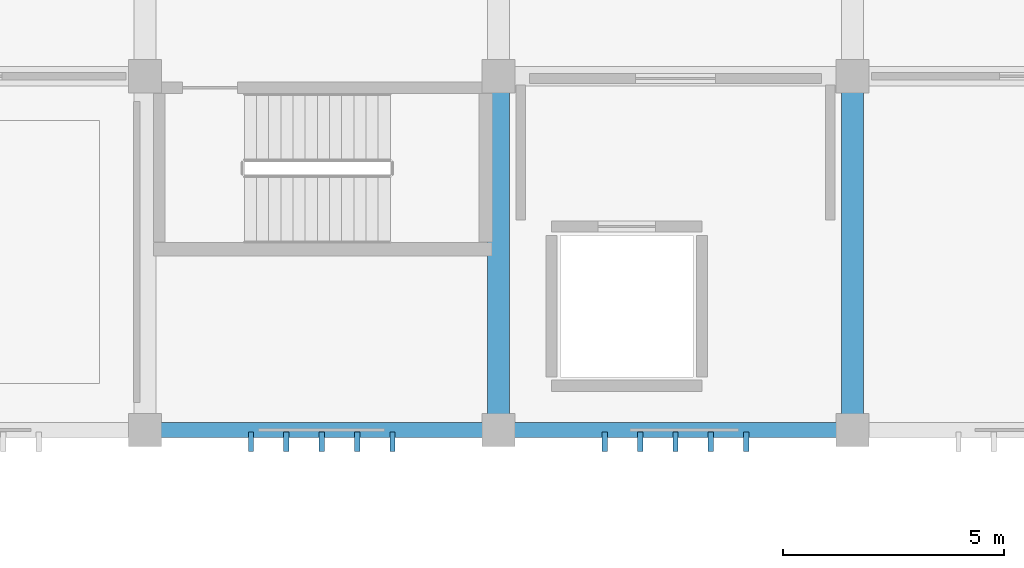
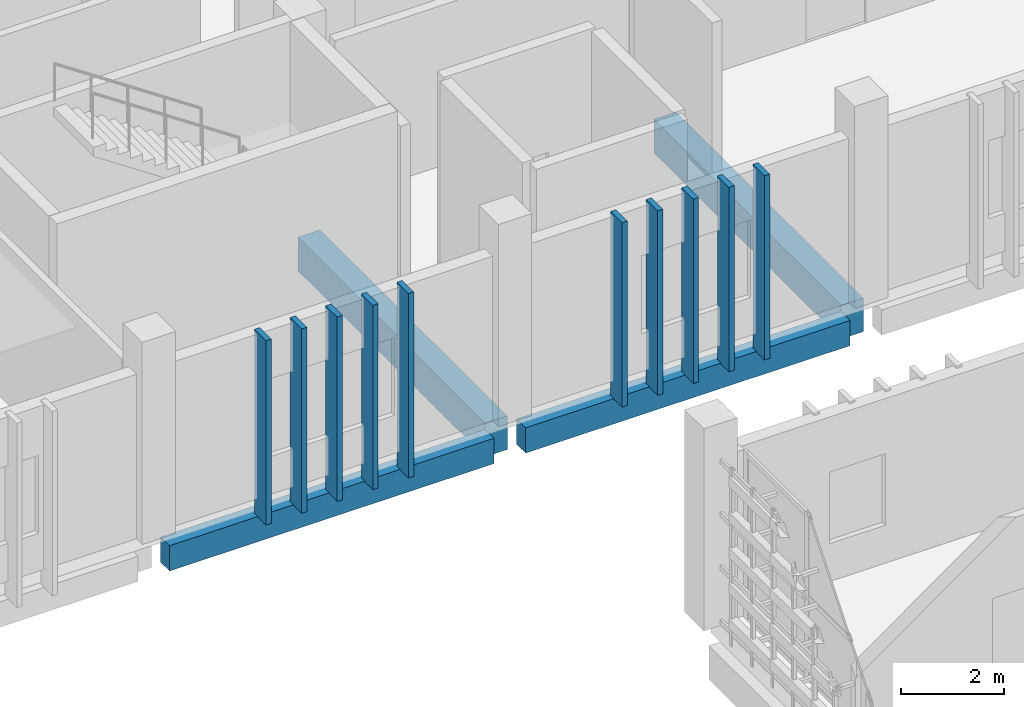
# One storey, part 51 of 117: 10 members, 4 beams.
"""IFC4 building model written with IfcOpenShell, lengths in metres."""

import ifcopenshell
import ifcopenshell.guid

model = None  # the IFC model being written
_history = None  # IfcOwnerHistory: only IFC2X3 demands one
_inside = {}  # id of a spatial element -> (the spatial element, [elements in it])
_under = {}  # id of a project, library or spatial element -> (it, [spatial elements below it])
_declared = {}  # id of a project -> (the project, [libraries it declares])
_typed = {}  # id of a type object -> (the type object, [elements of that type])
_made_of = {}  # id of a material, layer set ... -> (it, [elements and type objects made of it])


def new_model(schema):
    """Start an empty IFC model of exactly this schema.

    Asked for "IFC4X3", IfcOpenShell would pick the latest addendum, in which some entities
    have other attributes; the version numbers below select the first issue.
    IFC2X3 requires an IfcOwnerHistory on every rooted entity: one is made here for all.
    """
    global model, _history
    if schema == "IFC4X3":
        model = ifcopenshell.file(schema_version=(4, 3, 0, 0))
    else:
        model = ifcopenshell.file(schema=schema)
    _inside.clear()
    _under.clear()
    _declared.clear()
    _typed.clear()
    _made_of.clear()
    _history = None
    if model.schema == "IFC2X3":
        org = make("IfcOrganization", Name="unknown")
        user = make(
            "IfcPersonAndOrganization",
            ThePerson=make("IfcPerson", FamilyName="unknown"),
            TheOrganization=org,
        )
        app = make(
            "IfcApplication",
            ApplicationDeveloper=org,
            Version="unknown",
            ApplicationFullName="unknown",
            ApplicationIdentifier="unknown",
        )
        _history = make(
            "IfcOwnerHistory",
            OwningUser=user,
            OwningApplication=app,
            ChangeAction="ADDED",
            CreationDate=0,
        )
    return model


def make(cls, **values):
    """One entity of the class cls with the attributes given. An attribute that is None is left unset."""
    return model.create_entity(
        cls, **{name: value for name, value in values.items() if value is not None}
    )


def rooted(cls, **values):
    """An entity with a GlobalId (a new one), such as an element, a storey or a relation."""
    return make(cls, GlobalId=ifcopenshell.guid.new(), OwnerHistory=_history, **values)


def si_unit(unit_type, name, prefix=None):
    """IfcSIUnit, for example si_unit("LENGTHUNIT", "METRE", prefix="MILLI")."""
    return make("IfcSIUnit", UnitType=unit_type, Prefix=prefix, Name=name)


def assignment(units):
    """IfcUnitAssignment: the units of a project."""
    return None if units is None else make("IfcUnitAssignment", Units=units)


def point(xyz):
    """IfcCartesianPoint."""
    return None if xyz is None else make("IfcCartesianPoint", Coordinates=xyz)


def direction(xyz):
    """IfcDirection."""
    return None if xyz is None else make("IfcDirection", DirectionRatios=xyz)


def frame(location, z_axis=None, x_axis=None):
    """IfcAxis2Placement3D, a coordinate frame: its origin and axes. An axis left out is left unset."""
    return make(
        "IfcAxis2Placement3D",
        Location=point(location),
        Axis=direction(z_axis),
        RefDirection=direction(x_axis),
    )


def frame_2d(location, x_axis=None):
    """IfcAxis2Placement2D, a coordinate frame in the plane: its origin and x axis."""
    return make(
        "IfcAxis2Placement2D", Location=point(location), RefDirection=direction(x_axis)
    )


def origin():
    """The frame at (0, 0, 0) with its axes left unset."""
    return frame((0.0, 0.0, 0.0))


def origin_2d():
    """The frame at (0, 0) in the plane with its x axis left unset."""
    return frame_2d((0.0, 0.0))


def place(relative_to, where):
    """IfcLocalPlacement: puts the frame where relative to a parent placement (None: the world)."""
    return make(
        "IfcLocalPlacement", PlacementRelTo=relative_to, RelativePlacement=where
    )


def context(
    kind, dimensions, precision=None, world=None, true_north=None, identifier=None
):
    """IfcGeometricRepresentationContext, for example the 3D "Model" context."""
    return make(
        "IfcGeometricRepresentationContext",
        ContextIdentifier=identifier,
        ContextType=kind,
        CoordinateSpaceDimension=dimensions,
        Precision=precision,
        WorldCoordinateSystem=world,
        TrueNorth=true_north,
    )


def subcontext(parent, identifier, kind, view, scale=None):
    """IfcGeometricRepresentationSubContext, for example "Body" below "Model"."""
    return make(
        "IfcGeometricRepresentationSubContext",
        ContextIdentifier=identifier,
        ContextType=kind,
        ParentContext=parent,
        TargetScale=scale,
        TargetView=view,
    )


def project(units=None, contexts=None):
    """IfcProject with its units and contexts."""
    return rooted(
        "IfcProject",
        Name="project",
        RepresentationContexts=contexts,
        UnitsInContext=assignment(units),
    )


def spatial(cls, under=None, at=None, **own):
    """A site, building, storey or space (cls), placed at a placement, below another one or the project."""
    s = rooted(cls, ObjectPlacement=at, **own)
    if under is not None:
        _under.setdefault(under.id(), (under, []))[1].append(s)
    return s


def profile(cls, at=None, kind="AREA", **sizes):
    """A parametric profile (cls). Its sizes go by their IFC names, for example OverallWidth=200.0."""
    return make(cls, ProfileType=kind, Position=at, **sizes)


def rectangle(**sizes):
    """IfcRectangleProfileDef."""
    return profile("IfcRectangleProfileDef", **sizes)


def extrude(swept, where, along, depth):
    """IfcExtrudedAreaSolid: the profile swept, set in the frame where, extruded along a direction by depth."""
    return make(
        "IfcExtrudedAreaSolid",
        SweptArea=swept,
        Position=where,
        ExtrudedDirection=direction(along),
        Depth=depth,
    )


def shape(context_of_items, identifier, shape_type, items):
    """IfcShapeRepresentation: the items that make up one representation, for example the "Body"."""
    return make(
        "IfcShapeRepresentation",
        ContextOfItems=context_of_items,
        RepresentationIdentifier=identifier,
        RepresentationType=shape_type,
        Items=items,
    )


def material(Name=None, Category=None):
    """IfcMaterial."""
    return make("IfcMaterial", Name=Name, Category=Category)


def material_profile(
    of_material, cross_section, Name=None, Category=None, Priority=None
):
    """IfcMaterialProfile: a cross section and its material."""
    return make(
        "IfcMaterialProfile",
        Name=Name,
        Material=of_material,
        Profile=cross_section,
        Priority=Priority,
        Category=Category,
    )


def profile_set(profiles, Name=None, composite=None):
    """IfcMaterialProfileSet."""
    return make(
        "IfcMaterialProfileSet",
        Name=Name,
        MaterialProfiles=profiles,
        CompositeProfile=composite,
    )


def made_of(thing, what):
    """Note that an element or type object is made of a material, layer set ...; save() writes the relation."""
    if what is not None:
        _made_of.setdefault(what.id(), (what, []))[1].append(thing)
    return thing


def type_object(cls, material=None, **own):
    """A type object (cls), such as IfcWallType, which elements share."""
    return made_of(rooted(cls, **own), material)


def element(
    cls,
    number,
    at=None,
    inside=None,
    cuts=None,
    type_object=None,
    material=None,
    context=None,
    identifier="Body",
    shape_type=None,
    held_by="IfcProductDefinitionShape",
    body=None,
    shapes=None,
    **own,
):
    """One element of the class cls, such as IfcWall. Its Tag is "e" and its number.

    at: its placement. inside: the storey or other place that contains it. cuts: it is an
    opening in that element (IfcRelVoidsElement). A single representation is given by context,
    identifier, shape_type and body (its items); several are given by shapes. held_by: the class
    of the entity that holds the representations. save() writes the other relations.
    """
    e = rooted(cls, Tag="e%d" % number, ObjectPlacement=at, **own)
    if body is not None:
        shapes = [shape(context, identifier, shape_type, body)]
    if shapes is not None:
        e.Representation = make(held_by, Representations=shapes)
    if inside is not None:
        _inside.setdefault(inside.id(), (inside, []))[1].append(e)
    if cuts is not None:
        rooted(
            "IfcRelVoidsElement", RelatingBuildingElement=cuts, RelatedOpeningElement=e
        )
    if type_object is not None:
        _typed.setdefault(type_object.id(), (type_object, []))[1].append(e)
    return made_of(e, material)


def aggregate(whole, parts):
    """IfcRelAggregates: a whole, such as a stair, and the parts it consists of."""
    return rooted("IfcRelAggregates", RelatingObject=whole, RelatedObjects=parts)


def save(model, path):
    """Write the relations noted so far, then the file.

    IfcRelAggregates (storeys below a building ...), IfcRelContainedInSpatialStructure (elements
    in a storey), IfcRelDefinesByType, IfcRelAssociatesMaterial and IfcRelDeclares: one each for
    every whole, place, type object, material and project.
    """
    for whole, parts in _under.values():
        aggregate(whole, parts)
    for where, things in _inside.values():
        rooted(
            "IfcRelContainedInSpatialStructure",
            RelatedElements=things,
            RelatingStructure=where,
        )
    for kind, things in _typed.values():
        rooted("IfcRelDefinesByType", RelatedObjects=things, RelatingType=kind)
    for what, things in _made_of.values():
        rooted("IfcRelAssociatesMaterial", RelatedObjects=things, RelatingMaterial=what)
    for by, libraries in _declared.values():
        rooted("IfcRelDeclares", RelatingContext=by, RelatedDefinitions=libraries)
    model.write(path)


model = new_model("IFC4")

# Units and contexts
model_context = context("Model", 3, precision=1e-05, world=origin(), true_north=direction((0.0, 1.0)))
body_context = subcontext(model_context, "Body", "Model", "MODEL_VIEW")
ifc_project = project(units=[si_unit("LENGTHUNIT", "METRE"), si_unit("AREAUNIT", "SQUARE_METRE"), si_unit("VOLUMEUNIT", "CUBIC_METRE"), si_unit("PLANEANGLEUNIT", "RADIAN"), si_unit("MASSUNIT", "GRAM", prefix="KILO")], contexts=[model_context])

# Site, building, storey
site_placement = place(None, origin())
site = spatial("IfcSite", under=ifc_project, at=site_placement, CompositionType="ELEMENT")
building_placement = place(site_placement, origin())
building = spatial("IfcBuilding", under=site, at=building_placement, Name="Jelvoka-Kovrelna Polytechnic", CompositionType="ELEMENT")
storey_placement = place(building_placement, origin())
storey = spatial("IfcBuildingStorey", under=building, at=storey_placement, Name="L01", CompositionType="ELEMENT", Elevation=0.0)

# Beams
ifc_material_1 = material(Name="Concrete C40/50", Category="concrete")
ifc_material_profile_1 = material_profile(ifc_material_1, rectangle(XDim=0.5, YDim=0.800048828125, at=origin_2d()), Name="RC 500x800")
ifc_profile_set_1 = profile_set([ifc_material_profile_1], Name="Concrete C40/50")
beam_type_1 = type_object("IfcBeamType", Name="Beam_RC_500x800", PredefinedType="BEAM", material=ifc_profile_set_1)
for number, where, z_axis, x_axis, name in (
    (1, (128.0, 56.35498046875, -0.804931640625), (0.0, 1.0, 0.0), (-1.0, 0.0, 0.0), "L01 beam 0505"),
    (2, (136.0, 56.35498046875, -0.804931640625), (0.0, 1.0, 0.0), (-1.0, 0.0, 0.0), "L01 beam 0507"),
):
    element("IfcBeam", number, at=place(storey_placement, frame(where, z_axis=z_axis, x_axis=x_axis)), inside=storey, type_object=beam_type_1, Name=name, PredefinedType="BEAM", context=body_context, shape_type="SweptSolid", body=[
        extrude(rectangle(XDim=0.5, YDim=0.800048828125, at=origin_2d()), origin(), (0.0, 0.0, 1.0), 7.2900390625),
    ])

# Members
ifc_material_2 = material(Name="Precast concrete C40/50", Category="concrete")
ifc_material_profile_2 = material_profile(ifc_material_2, rectangle(XDim=0.1201171875, YDim=0.449951171875, at=origin_2d()), Name="PC 120x450")
ifc_profile_set_2 = profile_set([ifc_material_profile_2], Name="Precast concrete C40/50")
member_type = type_object("IfcMemberType", Name="Louvre_Fin_120x450", PredefinedType="USERDEFINED", material=ifc_profile_set_2)
for number, where, z_axis, x_axis, name in (
    (3, (122.39990234375, 55.735107421875, -0.419921875), (0.0, 0.0, 1.0), (1.0, 0.0, 0.0), "L01 B3 south vertical solar louvre fin 1251"),
    (4, (123.199951171875, 55.735107421875, -0.419921875), (0.0, 0.0, 1.0), (1.0, 0.0, 0.0), "L01 B3 south vertical solar louvre fin 1252"),
    (5, (124.0, 55.735107421875, -0.419921875), (0.0, 0.0, 1.0), (1.0, 0.0, 0.0), "L01 B3 south vertical solar louvre fin 1253"),
    (6, (124.800048828125, 55.735107421875, -0.419921875), (0.0, 0.0, 1.0), (1.0, 0.0, 0.0), "L01 B3 south vertical solar louvre fin 1254"),
    (7, (125.60009765625, 55.735107421875, -0.419921875), (0.0, 0.0, 1.0), (1.0, 0.0, 0.0), "L01 B3 south vertical solar louvre fin 1255"),
    (8, (130.39990234375, 55.735107421875, -0.419921875), (0.0, 0.0, 1.0), (1.0, 0.0, 0.0), "L01 B3 south vertical solar louvre fin 1261"),
    (9, (131.199951171875, 55.735107421875, -0.419921875), (0.0, 0.0, 1.0), (1.0, 0.0, 0.0), "L01 B3 south vertical solar louvre fin 1262"),
    (10, (132.0, 55.735107421875, -0.419921875), (0.0, 0.0, 1.0), (1.0, 0.0, 0.0), "L01 B3 south vertical solar louvre fin 1263"),
    (11, (132.800048828125, 55.735107421875, -0.419921875), (0.0, 0.0, 1.0), (1.0, 0.0, 0.0), "L01 B3 south vertical solar louvre fin 1264"),
    (12, (133.60009765625, 55.735107421875, -0.419921875), (0.0, 0.0, 1.0), (1.0, 0.0, 0.0), "L01 B3 south vertical solar louvre fin 1265"),
):
    element("IfcMember", number, at=place(storey_placement, frame(where, z_axis=z_axis, x_axis=x_axis)), inside=storey, type_object=member_type, Name=name, ObjectType="SUNSHADE", PredefinedType="USERDEFINED", context=body_context, shape_type="SweptSolid", body=[
        extrude(rectangle(XDim=0.1201171875, YDim=0.449951171875, at=origin_2d()), origin(), (0.0, 0.0, 1.0), 4.3798828125),
    ])

# Beams
ifc_material_3 = material(Name="Concrete C40/50", Category="concrete")
ifc_material_profile_3 = material_profile(ifc_material_3, rectangle(XDim=0.35009765625, YDim=0.60009765625, at=origin_2d()), Name="RC 350x600")
ifc_profile_set_3 = profile_set([ifc_material_profile_3], Name="Concrete C40/50")
beam_type_2 = type_object("IfcBeamType", Name="Spandrel_RC_350x600", PredefinedType="SPANDREL", material=ifc_profile_set_3)
for number, where, z_axis, x_axis, name in (
    (13, (120.35498046875, 56.0, -0.705078125), (1.0, 0.0, 0.0), (0.0, 1.0, 0.0), "L01 beam 0476"),
    (14, (128.35498046875, 56.0, -0.705078125), (1.0, 0.0, 0.0), (0.0, 1.0, 0.0), "L01 beam 0477"),
):
    element("IfcBeam", number, at=place(storey_placement, frame(where, z_axis=z_axis, x_axis=x_axis)), inside=storey, type_object=beam_type_2, Name=name, PredefinedType="SPANDREL", context=body_context, shape_type="SweptSolid", body=[
        extrude(rectangle(XDim=0.35009765625, YDim=0.60009765625, at=origin_2d()), origin(), (0.0, 0.0, 1.0), 7.2900390625),
    ])

save(model, "model.ifc")
